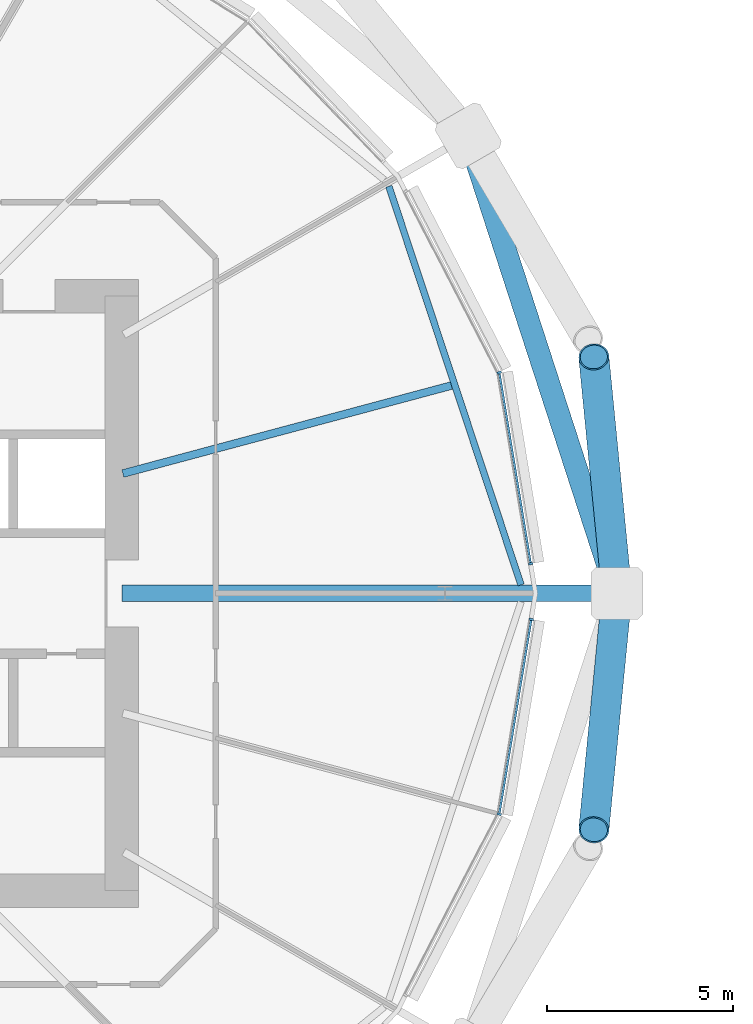
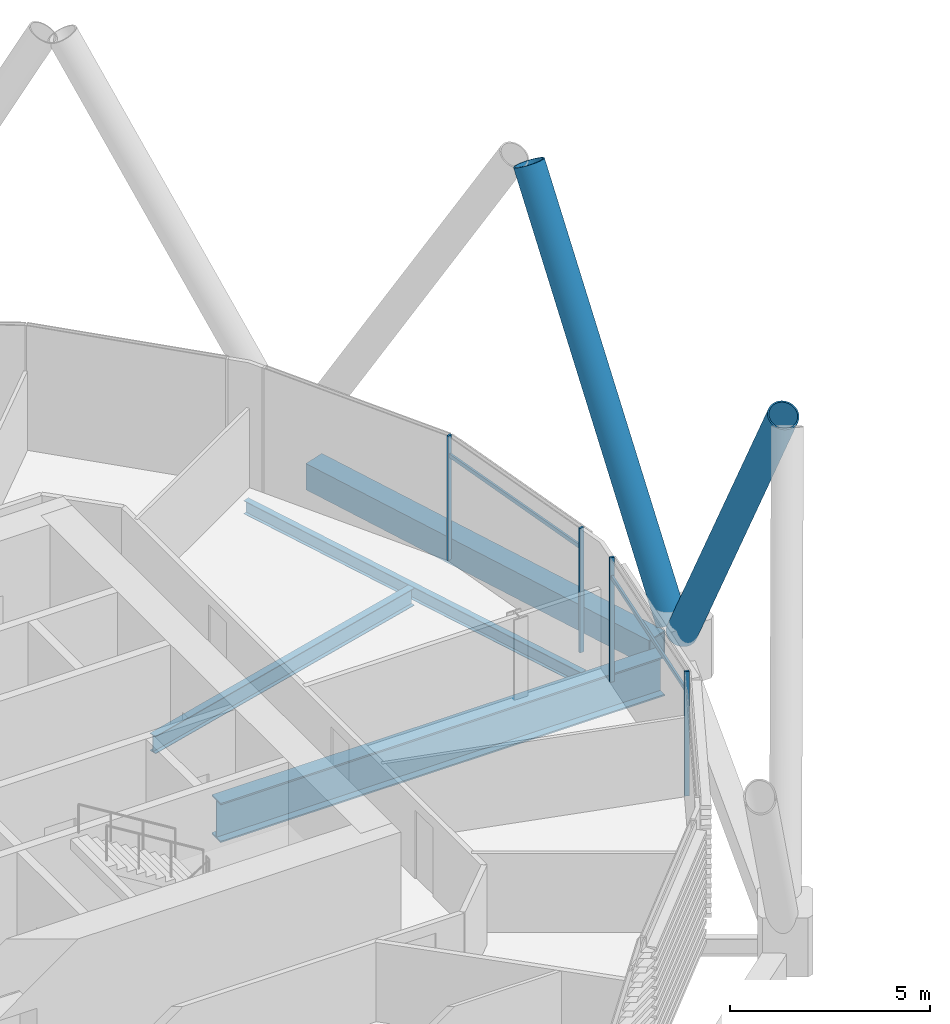
# One storey, part 9 of 40: 8 members, 4 beams, 1 element without a shape of its own.
"""IFC4 building model written with IfcOpenShell, lengths in metres."""

from ifc_helpers import new_model, si_unit, direction, frame, origin, origin_2d, place, context, subcontext, project, spatial, rectangle, hollow_rectangle, hollow_circle, i_section, extrude, material, material_profile, profile_set, type_object, element, aggregate, save


model = new_model("IFC4")

# Units and contexts
model_context = context("Model", 3, precision=1e-05, world=origin(), true_north=direction((0.0, 1.0)))
body_context = subcontext(model_context, "Body", "Model", "MODEL_VIEW")
ifc_project = project(units=[si_unit("LENGTHUNIT", "METRE"), si_unit("AREAUNIT", "SQUARE_METRE"), si_unit("VOLUMEUNIT", "CUBIC_METRE"), si_unit("PLANEANGLEUNIT", "RADIAN"), si_unit("MASSUNIT", "GRAM", prefix="KILO")], contexts=[model_context])

# Site, building, storey
site_placement = place(None, origin())
site = spatial("IfcSite", under=ifc_project, at=site_placement, CompositionType="ELEMENT")
building_placement = place(site_placement, origin())
building = spatial("IfcBuilding", under=site, at=building_placement, Name="Rimbun Link Towers", CompositionType="ELEMENT")
storey_placement = place(building_placement, frame((0.0, 0.0, 52.800048828125)))
storey = spatial("IfcBuildingStorey", under=building, at=storey_placement, Name="L12", CompositionType="ELEMENT", Elevation=52.800048828125)

# Curtain wall, members
ifc_material_1 = material(Name="Aluminium 6063-T6 and low-iron glass", Category="aluminium")
curtain_wall_type = type_object("IfcCurtainWallType", Name="CW1 unitised vision wall", PredefinedType="NOTDEFINED", material=ifc_material_1)
curtain_wall_placement = place(storey_placement, origin())
curtain_wall = element("IfcCurtainWall", 1, at=curtain_wall_placement, inside=storey, type_object=curtain_wall_type, Name="CW1 L12 T1", PredefinedType="NOTDEFINED")
ifc_material_2 = material(Name="Aluminium 6063-T6", Category="aluminium")
ifc_material_profile_1 = material_profile(ifc_material_2, rectangle(XDim=0.1201171875, YDim=0.06005859375, at=origin_2d()), Name="MULLION 60X120")
ifc_profile_set_1 = profile_set([ifc_material_profile_1], Name="Aluminium 6063-T6")
member_type_1 = type_object("IfcMemberType", Name="CW1 mullion 60X120", PredefinedType="MULLION", material=ifc_profile_set_1)
member_1_placement = place(storey_placement, frame((-9.595703125, 5.93994140625, 0.0), z_axis=(0.0, 0.0, 1.0), x_axis=(0.9491617925, 0.314788646011, 0.0)))
member_1 = element("IfcMember", 2, at=member_1_placement, type_object=member_type_1, Name="CW1 mullion", PredefinedType="MULLION", context=body_context, shape_type="SweptSolid", body=[
    extrude(rectangle(XDim=0.1201171875, YDim=0.06005859375, at=origin_2d()), origin(), (0.0, 0.0, 1.0), 3.800048828125),
])
member_2_placement = place(storey_placement, frame((-8.74951171875, 0.799072265625, 0.0), z_axis=(0.0, 0.0, 1.0), x_axis=(0.986746548815, 0.162269061749, 0.0)))
member_2 = element("IfcMember", 3, at=member_2_placement, type_object=member_type_1, Name="CW1 mullion", PredefinedType="MULLION", context=body_context, shape_type="SweptSolid", body=[
    extrude(rectangle(XDim=0.1201171875, YDim=0.06005859375, at=origin_2d()), origin(), (0.0, 0.0, 1.0), 3.800048828125),
])
member_3_placement = place(storey_placement, frame((-9.595703125, -5.93994140625, 0.0), z_axis=(0.0, 0.0, 1.0), x_axis=(0.9491617925, -0.314788646011, 0.0)))
member_3 = element("IfcMember", 4, at=member_3_placement, type_object=member_type_1, Name="CW1 mullion", PredefinedType="MULLION", context=body_context, shape_type="SweptSolid", body=[
    extrude(rectangle(XDim=0.1201171875, YDim=0.06005859375, at=origin_2d()), origin(), (0.0, 0.0, 1.0), 3.800048828125),
])
member_4_placement = place(storey_placement, frame((-8.7333984375, -0.700439453125, 0.0), z_axis=(0.0, 0.0, 1.0), x_axis=(0.986746548815, -0.162269061749, 0.0)))
member_4 = element("IfcMember", 5, at=member_4_placement, type_object=member_type_1, Name="CW1 mullion", PredefinedType="MULLION", context=body_context, shape_type="SweptSolid", body=[
    extrude(rectangle(XDim=0.1201171875, YDim=0.06005859375, at=origin_2d()), origin(), (0.0, 0.0, 1.0), 3.800048828125),
])
ifc_material_3 = material(Name="Aluminium 6063-T6", Category="aluminium")
ifc_material_profile_2 = material_profile(ifc_material_3, rectangle(XDim=0.06005859375, YDim=0.1201171875, at=origin_2d()), Name="TRANSOM 60X120")
ifc_profile_set_2 = profile_set([ifc_material_profile_2], Name="Aluminium 6063-T6")
member_type_2 = type_object("IfcMemberType", Name="CW1 transom 60X120", PredefinedType="USERDEFINED", material=ifc_profile_set_2)
member_5_placement = place(storey_placement, frame((-9.590576171875, 5.90087890625, 3.199951171875), z_axis=(0.162280714686, -0.986744632436, 0.0), x_axis=(0.986744632436, 0.162280714686, 0.0)))
member_5 = element("IfcMember", 6, at=member_5_placement, type_object=member_type_2, Name="CW1 transom", ObjectType="TRANSOM", PredefinedType="USERDEFINED", context=body_context, shape_type="SweptSolid", body=[
    extrude(rectangle(XDim=0.06005859375, YDim=0.1201171875, at=origin_2d()), origin(), (0.0, 0.0, 1.0), 5.140625),
])
member_6_placement = place(storey_placement, frame((-8.740234375, -0.729736328125, 3.199951171875), z_axis=(-0.162260660103, -0.986747930417, 0.0), x_axis=(0.986747930417, -0.162260660103, 0.0)))
member_6 = element("IfcMember", 7, at=member_6_placement, type_object=member_type_2, Name="CW1 transom", ObjectType="TRANSOM", PredefinedType="USERDEFINED", context=body_context, shape_type="SweptSolid", body=[
    extrude(rectangle(XDim=0.06005859375, YDim=0.1201171875, at=origin_2d()), origin(), (0.0, 0.0, 1.0), 5.240478515625),
])
aggregate(curtain_wall, [member_1, member_2, member_3, member_4, member_5, member_6])

# Members
ifc_material_4 = material(Name="Steel S460NH", Category="steel")
ifc_material_profile_3 = material_profile(ifc_material_4, hollow_circle(Radius=0.406494140625, WallThickness=0.0400390625, at=origin_2d()), Name="Diagrid diagonal CHS 813x40")
ifc_profile_set_3 = profile_set([ifc_material_profile_3], Name="Steel S460NH")
member_type_3 = type_object("IfcMemberType", Name="Diagrid diagonal CHS 813x40", PredefinedType="BRACE", material=ifc_profile_set_3)
for number, where, z_axis, x_axis, name in (
    (8, (-6.453369140625, -0.25048828125, 0.431884765625), (-0.048889848079, -0.501110932603, 0.864000935174), (0.995274446472, -0.097101885669, 0.0), "Diagrid diagonal T1 L12-L15 00a"),
    (9, (-6.453369140625, 0.25048828125, 0.431884765625), (-0.048889848079, 0.501110932603, 0.864000935174), (-0.995274446472, -0.097101885669, 0.0), "Diagrid diagonal T1 L12-L15 00b"),
):
    element("IfcMember", number, at=place(storey_placement, frame(where, z_axis=z_axis, x_axis=x_axis)), inside=storey, type_object=member_type_3, Name=name, PredefinedType="BRACE", context=body_context, shape_type="SweptSolid", body=[
        extrude(hollow_circle(Radius=0.406494140625, WallThickness=0.0400390625, at=origin_2d()), origin(), (0.0, 0.0, 1.0), 12.194580078125),
    ])

# Beams
ifc_material_5 = material(Name="Steel S355J2", Category="steel")
ifc_material_profile_4 = material_profile(ifc_material_5, hollow_rectangle(XDim=0.60009765625, YDim=0.800048828125, WallThickness=0.0400390625, at=origin_2d()), Name="Exoskeleton ring girder BOX 600x800x40")
ifc_profile_set_4 = profile_set([ifc_material_profile_4], Name="Steel S355J2")
beam_type_1 = type_object("IfcBeamType", Name="Exoskeleton ring girder BOX 600x800x40", PredefinedType="BEAM", material=ifc_profile_set_4)
beam_1_placement = place(storey_placement, frame((-6.645263671875, 0.665771484375, -0.56005859375), z_axis=(-0.308953600287, 0.951077111947, 0.0), x_axis=(-0.951077111947, -0.308953600287, 0.0)))
element("IfcBeam", 10, at=beam_1_placement, inside=storey, type_object=beam_type_1, Name="Exoskeleton ring girder L12 00", PredefinedType="BEAM", context=body_context, shape_type="SweptSolid", body=[
    extrude(hollow_rectangle(XDim=0.60009765625, YDim=0.800048828125, WallThickness=0.0400390625, at=origin_2d()), origin(), (0.0, 0.0, 1.0), 11.54345703125),
])
ifc_material_6 = material(Name="Steel S355J2", Category="steel")
ifc_material_profile_5 = material_profile(ifc_material_6, i_section(OverallWidth=0.449951171875, OverallDepth=1.199951171875, WebThickness=0.030029296875, FlangeThickness=0.044921875, at=origin_2d()), Name="PG 1200x450x30/45")
ifc_profile_set_5 = profile_set([ifc_material_profile_5], Name="Steel S355J2")
beam_type_2 = type_object("IfcBeamType", Name="PG 1200x450x30/45", PredefinedType="BEAM", material=ifc_profile_set_5)
beam_2_placement = place(storey_placement, frame((-19.7490234375, 0.0, -0.760009765625), z_axis=(1.0, 0.0, 0.0), x_axis=(0.0, 1.0, 0.0)))
element("IfcBeam", 11, at=beam_2_placement, inside=storey, type_object=beam_type_2, Name="Radial beam T1 L12 00", PredefinedType="BEAM", context=body_context, shape_type="SweptSolid", body=[
    extrude(i_section(OverallWidth=0.449951171875, OverallDepth=1.199951171875, WebThickness=0.030029296875, FlangeThickness=0.044921875, at=origin_2d()), origin(), (0.0, 0.0, 1.0), 12.820068359375),
])
ifc_material_7 = material(Name="Steel S355J2", Category="steel")
ifc_material_profile_6 = material_profile(ifc_material_7, i_section(OverallWidth=0.177978515625, OverallDepth=0.406494140625, WebThickness=0.0078125, FlangeThickness=0.0126953125, at=origin_2d()), Name="UB 406x178x60")
ifc_profile_set_6 = profile_set([ifc_material_profile_6], Name="Steel S355J2")
beam_type_3 = type_object("IfcBeamType", Name="UB 406x178x60", PredefinedType="BEAM", material=ifc_profile_set_6)
beam_3_placement = place(storey_placement, frame((-9.00732421875, 0.225830078125, -0.36328125), z_axis=(-0.314795339648, 0.949159572536, 0.0), x_axis=(-0.949159572536, -0.314795339648, 0.0)))
element("IfcBeam", 12, at=beam_3_placement, inside=storey, type_object=beam_type_3, Name="Edge beam T1 L12 00-02", PredefinedType="BEAM", context=body_context, shape_type="SweptSolid", body=[
    extrude(i_section(OverallWidth=0.177978515625, OverallDepth=0.406494140625, WebThickness=0.0078125, FlangeThickness=0.0126953125, at=origin_2d()), origin(), (0.0, 0.0, 1.0), 11.302978515625),
])
ifc_material_8 = material(Name="Steel S355J2", Category="steel")
ifc_material_profile_7 = material_profile(ifc_material_8, i_section(OverallWidth=0.209228515625, OverallDepth=0.533203125, WebThickness=0.010009765625, FlangeThickness=0.015625, at=origin_2d()), Name="UB 533x210x92")
ifc_profile_set_7 = profile_set([ifc_material_profile_7], Name="Steel S355J2")
beam_type_4 = type_object("IfcBeamType", Name="UB 533x210x92", PredefinedType="BEAM", material=ifc_profile_set_7)
beam_4_placement = place(storey_placement, frame((-19.721923828125, 3.222900390625, -0.4267578125), z_axis=(0.96592209333, 0.258832976293, 0.0), x_axis=(-0.258832976293, 0.96592209333, 0.0)))
element("IfcBeam", 13, at=beam_4_placement, inside=storey, type_object=beam_type_4, Name="Radial beam T1 L12 01", PredefinedType="BEAM", context=body_context, shape_type="SweptSolid", body=[
    extrude(i_section(OverallWidth=0.209228515625, OverallDepth=0.533203125, WebThickness=0.010009765625, FlangeThickness=0.015625, at=origin_2d()), origin(), (0.0, 0.0, 1.0), 9.152099609375),
])

save(model, "model.ifc")
